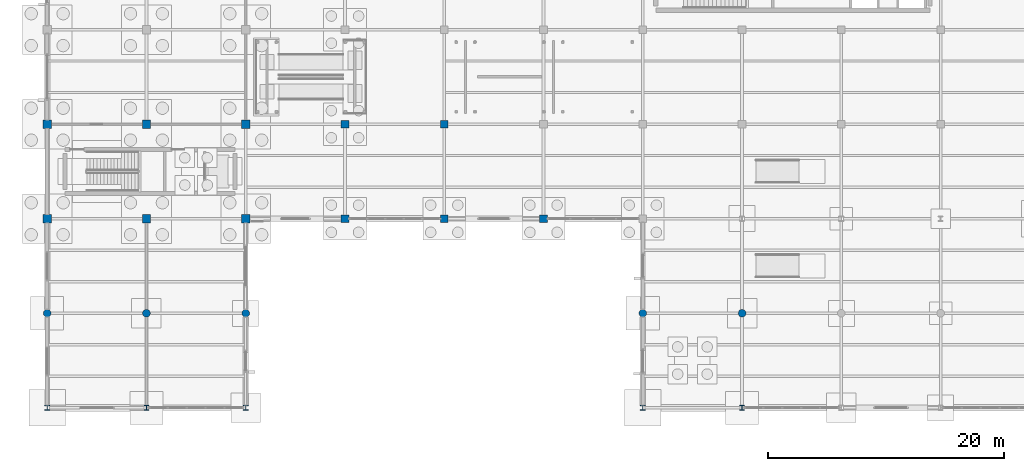
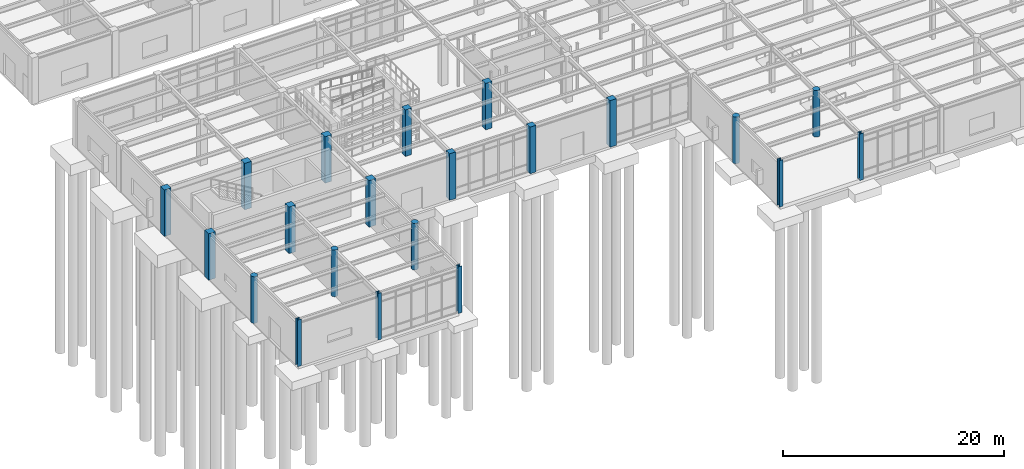
# One storey, part 5 of 138: 21 columns.
"""IFC4 building model written with IfcOpenShell, lengths in metres."""

from ifc_helpers import new_model, si_unit, direction, frame, origin, origin_2d, place, context, subcontext, project, spatial, rectangle, circle, i_section, extrude, material, material_profile, profile_set, type_object, element, save


model = new_model("IFC4")

# Units and contexts
model_context = context("Model", 3, precision=1e-05, world=origin(), true_north=direction((0.0, 1.0)))
body_context = subcontext(model_context, "Body", "Model", "MODEL_VIEW")
ifc_project = project(units=[si_unit("LENGTHUNIT", "METRE"), si_unit("AREAUNIT", "SQUARE_METRE"), si_unit("VOLUMEUNIT", "CUBIC_METRE"), si_unit("PLANEANGLEUNIT", "RADIAN"), si_unit("MASSUNIT", "GRAM", prefix="KILO")], contexts=[model_context])

# Site, building, storey
site_placement = place(None, origin())
site = spatial("IfcSite", under=ifc_project, at=site_placement, CompositionType="ELEMENT")
building_placement = place(site_placement, origin())
building = spatial("IfcBuilding", under=site, at=building_placement, Name="Kranzveld Transit Interchange", CompositionType="ELEMENT")
storey_placement = place(building_placement, origin())
storey = spatial("IfcBuildingStorey", under=building, at=storey_placement, Name="L00", CompositionType="ELEMENT", Elevation=0.0)

# Columns
ifc_material_1 = material(Name="Concrete C35/45", Category="concrete")
ifc_material_profile_1 = material_profile(ifc_material_1, rectangle(XDim=0.64990234375, YDim=0.64990234375, at=origin_2d()), Name="RC 650x650")
ifc_profile_set_1 = profile_set([ifc_material_profile_1], Name="Concrete C35/45")
column_type_1 = type_object("IfcColumnType", Name="Column RC 650x650 C35/45", PredefinedType="COLUMN", material=ifc_profile_set_1)
for number, where, z_axis, x_axis, name in (
    (1, (25.199951171875, 16.0, 0.0), (0.0, 0.0, 1.0), (1.0, 0.0, 0.0), "L00 Column 04/C"),
    (2, (25.199951171875, 24.0, 0.0), (0.0, 0.0, 1.0), (1.0, 0.0, 0.0), "L00 Column 04/D"),
    (3, (33.60009765625, 16.0, 0.0), (0.0, 0.0, 1.0), (1.0, 0.0, 0.0), "L00 Column 05/C"),
    (4, (33.60009765625, 24.0, 0.0), (0.0, 0.0, 1.0), (1.0, 0.0, 0.0), "L00 Column 05/D"),
    (5, (42.0, 16.0, 0.0), (0.0, 0.0, 1.0), (1.0, 0.0, 0.0), "L00 Column 06/C"),
):
    element("IfcColumn", number, at=place(storey_placement, frame(where, z_axis=z_axis, x_axis=x_axis)), inside=storey, type_object=column_type_1, Name=name, PredefinedType="COLUMN", context=body_context, shape_type="SweptSolid", body=[
        extrude(rectangle(XDim=0.64990234375, YDim=0.64990234375, at=origin_2d()), origin(), (0.0, 0.0, 1.0), 5.14990234375),
    ])
ifc_material_2 = material(Name="Concrete C35/45", Category="concrete")
ifc_material_profile_2 = material_profile(ifc_material_2, rectangle(XDim=0.699951171875, YDim=0.699951171875, at=origin_2d()), Name="RC 700x700")
ifc_profile_set_2 = profile_set([ifc_material_profile_2], Name="Concrete C35/45")
column_type_2 = type_object("IfcColumnType", Name="Column RC 700x700 C35/45", PredefinedType="COLUMN", material=ifc_profile_set_2)
for number, where, z_axis, x_axis, name in (
    (6, (0.0, 16.0, 0.0), (0.0, 0.0, 1.0), (1.0, 0.0, 0.0), "L00 Column 01/C"),
    (7, (0.0, 24.0, 0.0), (0.0, 0.0, 1.0), (1.0, 0.0, 0.0), "L00 Column 01/D"),
    (8, (8.39990234375, 16.0, 0.0), (0.0, 0.0, 1.0), (1.0, 0.0, 0.0), "L00 Column 02/C"),
    (9, (8.39990234375, 24.0, 0.0), (0.0, 0.0, 1.0), (1.0, 0.0, 0.0), "L00 Column 02/D"),
    (10, (16.800048828125, 16.0, 0.0), (0.0, 0.0, 1.0), (1.0, 0.0, 0.0), "L00 Column 03/C"),
    (11, (16.800048828125, 24.0, 0.0), (0.0, 0.0, 1.0), (1.0, 0.0, 0.0), "L00 Column 03/D"),
):
    element("IfcColumn", number, at=place(storey_placement, frame(where, z_axis=z_axis, x_axis=x_axis)), inside=storey, type_object=column_type_2, Name=name, PredefinedType="COLUMN", context=body_context, shape_type="SweptSolid", body=[
        extrude(rectangle(XDim=0.699951171875, YDim=0.699951171875, at=origin_2d()), origin(), (0.0, 0.0, 1.0), 5.14990234375),
    ])
ifc_material_3 = material(Name="Concrete C35/45", Category="concrete")
ifc_material_profile_3 = material_profile(ifc_material_3, circle(Radius=0.324951171875, at=origin_2d()), Name="RC DIA 650")
ifc_profile_set_3 = profile_set([ifc_material_profile_3], Name="Concrete C35/45")
column_type_3 = type_object("IfcColumnType", Name="Column RC Dia 650 C35/45", PredefinedType="COLUMN", material=ifc_profile_set_3)
for number, where, z_axis, x_axis, name in (
    (12, (0.0, 8.0, 0.0), (0.0, 0.0, 1.0), (1.0, 0.0, 0.0), "L00 Column 01/B"),
    (13, (8.39990234375, 8.0, 0.0), (0.0, 0.0, 1.0), (1.0, 0.0, 0.0), "L00 Column 02/B"),
    (14, (16.800048828125, 8.0, 0.0), (0.0, 0.0, 1.0), (1.0, 0.0, 0.0), "L00 Column 03/B"),
    (15, (50.39990234375, 8.0, 0.0), (0.0, 0.0, 1.0), (1.0, 0.0, 0.0), "L00 Column 07/B"),
    (16, (58.800048828125, 8.0, 0.0), (0.0, 0.0, 1.0), (1.0, 0.0, 0.0), "L00 Column 08/B"),
):
    element("IfcColumn", number, at=place(storey_placement, frame(where, z_axis=z_axis, x_axis=x_axis)), inside=storey, type_object=column_type_3, Name=name, PredefinedType="COLUMN", context=body_context, shape_type="SweptSolid", body=[
        extrude(circle(Radius=0.324951171875, at=origin_2d()), origin(), (0.0, 0.0, 1.0), 5.14990234375),
    ])
ifc_material_4 = material(Name="Steel S355JR", Category="steel")
ifc_material_profile_4 = material_profile(ifc_material_4, i_section(OverallWidth=0.39892578125, OverallDepth=0.3935546875, WebThickness=0.022705078125, FlangeThickness=0.03662109375, FilletRadius=0.01513671875, at=origin_2d()), Name="UC 356x406x287")
ifc_profile_set_4 = profile_set([ifc_material_profile_4], Name="Steel S355JR")
column_type_4 = type_object("IfcColumnType", Name="Column Steel UC 356x406x287 S355JR", PredefinedType="COLUMN", material=ifc_profile_set_4)
for number, where, z_axis, x_axis, name in (
    (17, (0.0, 0.0, 0.0), (0.0, 0.0, 1.0), (1.0, 0.0, 0.0), "L00 Column 01/A"),
    (18, (8.39990234375, 0.0, 0.0), (0.0, 0.0, 1.0), (1.0, 0.0, 0.0), "L00 Column 02/A"),
    (19, (16.800048828125, 0.0, 0.0), (0.0, 0.0, 1.0), (1.0, 0.0, 0.0), "L00 Column 03/A"),
    (20, (50.39990234375, 0.0, 0.0), (0.0, 0.0, 1.0), (1.0, 0.0, 0.0), "L00 Column 07/A"),
    (21, (58.800048828125, 0.0, 0.0), (0.0, 0.0, 1.0), (1.0, 0.0, 0.0), "L00 Column 08/A"),
):
    element("IfcColumn", number, at=place(storey_placement, frame(where, z_axis=z_axis, x_axis=x_axis)), inside=storey, type_object=column_type_4, Name=name, PredefinedType="COLUMN", context=body_context, shape_type="SweptSolid", body=[
        extrude(i_section(OverallWidth=0.39892578125, OverallDepth=0.3935546875, WebThickness=0.022705078125, FlangeThickness=0.03662109375, FilletRadius=0.01513671875, at=origin_2d()), origin(), (0.0, 0.0, 1.0), 5.14990234375),
    ])

save(model, "model.ifc")
